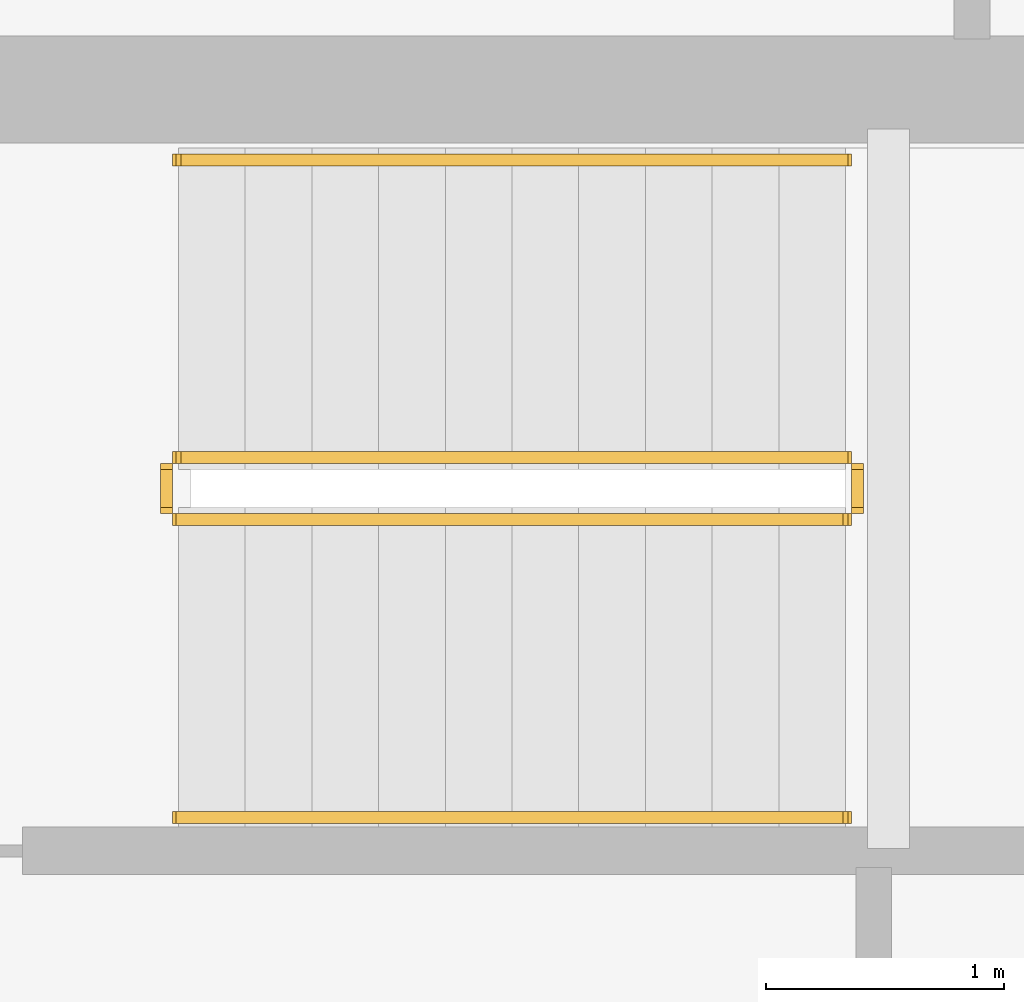
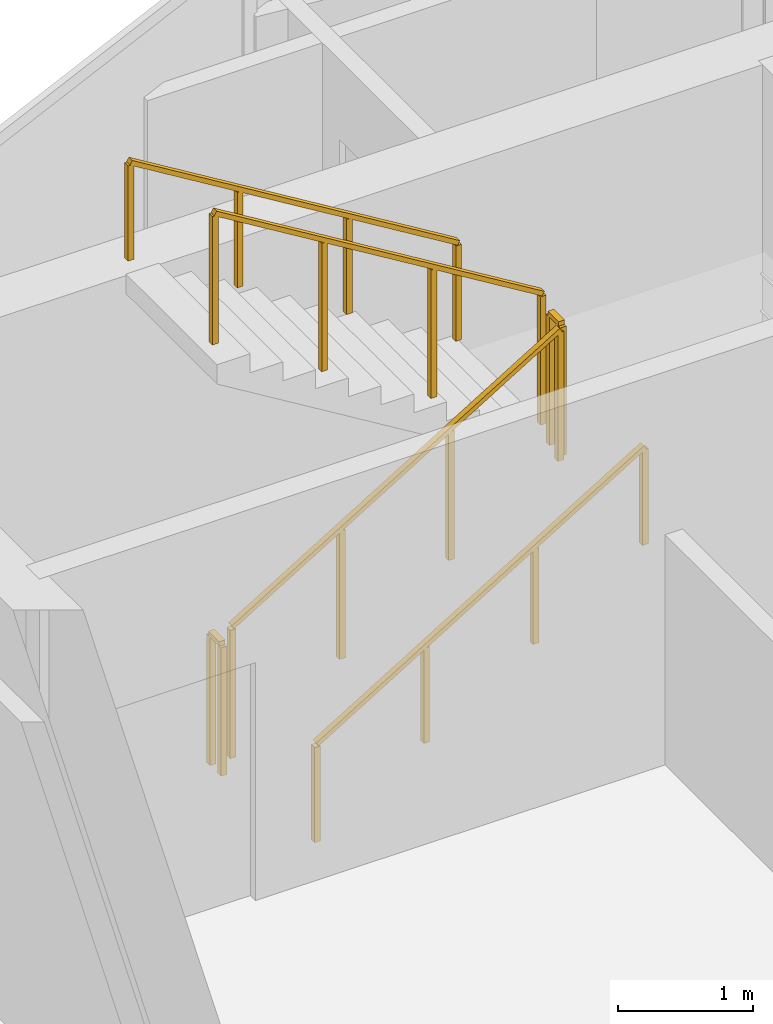
# One storey, part 15 of 15: 6 railings.
"""IFC4 building model written with IfcOpenShell, lengths in metres."""

import ifcopenshell
import ifcopenshell.guid

model = None  # the IFC model being written
_history = None  # IfcOwnerHistory: only IFC2X3 demands one
_inside = {}  # id of a spatial element -> (the spatial element, [elements in it])
_under = {}  # id of a project, library or spatial element -> (it, [spatial elements below it])
_declared = {}  # id of a project -> (the project, [libraries it declares])
_typed = {}  # id of a type object -> (the type object, [elements of that type])
_made_of = {}  # id of a material, layer set ... -> (it, [elements and type objects made of it])


def new_model(schema):
    """Start an empty IFC model of exactly this schema.

    Asked for "IFC4X3", IfcOpenShell would pick the latest addendum, in which some entities
    have other attributes; the version numbers below select the first issue.
    IFC2X3 requires an IfcOwnerHistory on every rooted entity: one is made here for all.
    """
    global model, _history
    if schema == "IFC4X3":
        model = ifcopenshell.file(schema_version=(4, 3, 0, 0))
    else:
        model = ifcopenshell.file(schema=schema)
    _inside.clear()
    _under.clear()
    _declared.clear()
    _typed.clear()
    _made_of.clear()
    _history = None
    if model.schema == "IFC2X3":
        org = make("IfcOrganization", Name="unknown")
        user = make(
            "IfcPersonAndOrganization",
            ThePerson=make("IfcPerson", FamilyName="unknown"),
            TheOrganization=org,
        )
        app = make(
            "IfcApplication",
            ApplicationDeveloper=org,
            Version="unknown",
            ApplicationFullName="unknown",
            ApplicationIdentifier="unknown",
        )
        _history = make(
            "IfcOwnerHistory",
            OwningUser=user,
            OwningApplication=app,
            ChangeAction="ADDED",
            CreationDate=0,
        )
    return model


def make(cls, **values):
    """One entity of the class cls with the attributes given. An attribute that is None is left unset."""
    return model.create_entity(
        cls, **{name: value for name, value in values.items() if value is not None}
    )


def rooted(cls, **values):
    """An entity with a GlobalId (a new one), such as an element, a storey or a relation."""
    return make(cls, GlobalId=ifcopenshell.guid.new(), OwnerHistory=_history, **values)


def si_unit(unit_type, name, prefix=None):
    """IfcSIUnit, for example si_unit("LENGTHUNIT", "METRE", prefix="MILLI")."""
    return make("IfcSIUnit", UnitType=unit_type, Prefix=prefix, Name=name)


def assignment(units):
    """IfcUnitAssignment: the units of a project."""
    return None if units is None else make("IfcUnitAssignment", Units=units)


def point(xyz):
    """IfcCartesianPoint."""
    return None if xyz is None else make("IfcCartesianPoint", Coordinates=xyz)


def direction(xyz):
    """IfcDirection."""
    return None if xyz is None else make("IfcDirection", DirectionRatios=xyz)


def frame(location, z_axis=None, x_axis=None):
    """IfcAxis2Placement3D, a coordinate frame: its origin and axes. An axis left out is left unset."""
    return make(
        "IfcAxis2Placement3D",
        Location=point(location),
        Axis=direction(z_axis),
        RefDirection=direction(x_axis),
    )


def frame_2d(location, x_axis=None):
    """IfcAxis2Placement2D, a coordinate frame in the plane: its origin and x axis."""
    return make(
        "IfcAxis2Placement2D", Location=point(location), RefDirection=direction(x_axis)
    )


def origin():
    """The frame at (0, 0, 0) with its axes left unset."""
    return frame((0.0, 0.0, 0.0))


def origin_2d():
    """The frame at (0, 0) in the plane with its x axis left unset."""
    return frame_2d((0.0, 0.0))


def place(relative_to, where):
    """IfcLocalPlacement: puts the frame where relative to a parent placement (None: the world)."""
    return make(
        "IfcLocalPlacement", PlacementRelTo=relative_to, RelativePlacement=where
    )


def context(
    kind, dimensions, precision=None, world=None, true_north=None, identifier=None
):
    """IfcGeometricRepresentationContext, for example the 3D "Model" context."""
    return make(
        "IfcGeometricRepresentationContext",
        ContextIdentifier=identifier,
        ContextType=kind,
        CoordinateSpaceDimension=dimensions,
        Precision=precision,
        WorldCoordinateSystem=world,
        TrueNorth=true_north,
    )


def subcontext(parent, identifier, kind, view, scale=None):
    """IfcGeometricRepresentationSubContext, for example "Body" below "Model"."""
    return make(
        "IfcGeometricRepresentationSubContext",
        ContextIdentifier=identifier,
        ContextType=kind,
        ParentContext=parent,
        TargetScale=scale,
        TargetView=view,
    )


def project(units=None, contexts=None):
    """IfcProject with its units and contexts."""
    return rooted(
        "IfcProject",
        Name="project",
        RepresentationContexts=contexts,
        UnitsInContext=assignment(units),
    )


def spatial(cls, under=None, at=None, **own):
    """A site, building, storey or space (cls), placed at a placement, below another one or the project."""
    s = rooted(cls, ObjectPlacement=at, **own)
    if under is not None:
        _under.setdefault(under.id(), (under, []))[1].append(s)
    return s


def profile(cls, at=None, kind="AREA", **sizes):
    """A parametric profile (cls). Its sizes go by their IFC names, for example OverallWidth=200.0."""
    return make(cls, ProfileType=kind, Position=at, **sizes)


def rectangle(**sizes):
    """IfcRectangleProfileDef."""
    return profile("IfcRectangleProfileDef", **sizes)


def extrude(swept, where, along, depth):
    """IfcExtrudedAreaSolid: the profile swept, set in the frame where, extruded along a direction by depth."""
    return make(
        "IfcExtrudedAreaSolid",
        SweptArea=swept,
        Position=where,
        ExtrudedDirection=direction(along),
        Depth=depth,
    )


def shape(context_of_items, identifier, shape_type, items):
    """IfcShapeRepresentation: the items that make up one representation, for example the "Body"."""
    return make(
        "IfcShapeRepresentation",
        ContextOfItems=context_of_items,
        RepresentationIdentifier=identifier,
        RepresentationType=shape_type,
        Items=items,
    )


def material(Name=None, Category=None):
    """IfcMaterial."""
    return make("IfcMaterial", Name=Name, Category=Category)


def made_of(thing, what):
    """Note that an element or type object is made of a material, layer set ...; save() writes the relation."""
    if what is not None:
        _made_of.setdefault(what.id(), (what, []))[1].append(thing)
    return thing


def type_object(cls, material=None, **own):
    """A type object (cls), such as IfcWallType, which elements share."""
    return made_of(rooted(cls, **own), material)


def element(
    cls,
    number,
    at=None,
    inside=None,
    cuts=None,
    type_object=None,
    material=None,
    context=None,
    identifier="Body",
    shape_type=None,
    held_by="IfcProductDefinitionShape",
    body=None,
    shapes=None,
    **own,
):
    """One element of the class cls, such as IfcWall. Its Tag is "e" and its number.

    at: its placement. inside: the storey or other place that contains it. cuts: it is an
    opening in that element (IfcRelVoidsElement). A single representation is given by context,
    identifier, shape_type and body (its items); several are given by shapes. held_by: the class
    of the entity that holds the representations. save() writes the other relations.
    """
    e = rooted(cls, Tag="e%d" % number, ObjectPlacement=at, **own)
    if body is not None:
        shapes = [shape(context, identifier, shape_type, body)]
    if shapes is not None:
        e.Representation = make(held_by, Representations=shapes)
    if inside is not None:
        _inside.setdefault(inside.id(), (inside, []))[1].append(e)
    if cuts is not None:
        rooted(
            "IfcRelVoidsElement", RelatingBuildingElement=cuts, RelatedOpeningElement=e
        )
    if type_object is not None:
        _typed.setdefault(type_object.id(), (type_object, []))[1].append(e)
    return made_of(e, material)


def aggregate(whole, parts):
    """IfcRelAggregates: a whole, such as a stair, and the parts it consists of."""
    return rooted("IfcRelAggregates", RelatingObject=whole, RelatedObjects=parts)


def save(model, path):
    """Write the relations noted so far, then the file.

    IfcRelAggregates (storeys below a building ...), IfcRelContainedInSpatialStructure (elements
    in a storey), IfcRelDefinesByType, IfcRelAssociatesMaterial and IfcRelDeclares: one each for
    every whole, place, type object, material and project.
    """
    for whole, parts in _under.values():
        aggregate(whole, parts)
    for where, things in _inside.values():
        rooted(
            "IfcRelContainedInSpatialStructure",
            RelatedElements=things,
            RelatingStructure=where,
        )
    for kind, things in _typed.values():
        rooted("IfcRelDefinesByType", RelatedObjects=things, RelatingType=kind)
    for what, things in _made_of.values():
        rooted("IfcRelAssociatesMaterial", RelatedObjects=things, RelatingMaterial=what)
    for by, libraries in _declared.values():
        rooted("IfcRelDeclares", RelatingContext=by, RelatedDefinitions=libraries)
    model.write(path)


model = new_model("IFC4")

# Units and contexts
model_context = context("Model", 3, precision=1e-05, world=origin(), true_north=direction((0.0, 1.0)))
body_context = subcontext(model_context, "Body", "Model", "MODEL_VIEW")
ifc_project = project(units=[si_unit("LENGTHUNIT", "METRE"), si_unit("AREAUNIT", "SQUARE_METRE"), si_unit("VOLUMEUNIT", "CUBIC_METRE"), si_unit("PLANEANGLEUNIT", "RADIAN"), si_unit("MASSUNIT", "GRAM", prefix="KILO")], contexts=[model_context])

# Site, building, storey
site_placement = place(None, origin())
site = spatial("IfcSite", under=ifc_project, at=site_placement, CompositionType="ELEMENT")
building_placement = place(site_placement, origin())
building = spatial("IfcBuilding", under=site, at=building_placement, Name="Qianvela Tower", CompositionType="ELEMENT")
storey_placement = place(building_placement, frame((0.0, 0.0, 360.050048828125)))
storey = spatial("IfcBuildingStorey", under=building, at=storey_placement, Name="L93", CompositionType="ELEMENT", Elevation=360.050048828125)

# Railings
ifc_material_1 = material(Name="Painted Tubular Steel Q355B", Category="steel")
railing_type_1 = type_object("IfcRailingType", Name="RL-STAIR-GUARD-1200", PredefinedType="GUARDRAIL", material=ifc_material_1)
railing_1_placement = place(storey_placement, frame((32.199951171875, 30.840087890625, 0.17041015625)))
element("IfcRailing", 1, at=railing_1_placement, inside=storey, type_object=railing_type_1, Name="L93 ST-1 stair guard 1", PredefinedType="GUARDRAIL", context=body_context, shape_type="SweptSolid", body=[
    extrude(rectangle(XDim=0.050048828125, YDim=0.0400390625, at=origin_2d()), frame((0.0, 0.0, 1.179931640625), z_axis=(0.854169791009, 0.0, 0.51999420009), x_axis=(0.0, 1.0, 0.0)), (0.0, 0.0, 1.0), 3.278076171875),
    extrude(rectangle(XDim=0.050048828125, YDim=0.050048828125, at=origin_2d()), origin(), (0.0, 0.0, 1.0), 1.159912109375),
    extrude(rectangle(XDim=0.050048828125, YDim=0.050048828125, at=origin_2d()), frame((0.933349609375, 0.0, 0.568115234375)), (0.0, 0.0, 1.0), 1.159912109375),
    extrude(rectangle(XDim=0.050048828125, YDim=0.050048828125, at=origin_2d()), frame((1.86669921875, 0.0, 1.136474609375)), (0.0, 0.0, 1.0), 1.159912109375),
    extrude(rectangle(XDim=0.050048828125, YDim=0.050048828125, at=origin_2d()), frame((2.800048828125, 0.0, 1.70458984375)), (0.0, 0.0, 1.0), 1.159912109375),
])
railing_2_placement = place(storey_placement, frame((35.050048828125, 30.889892578125, 1.875)))
element("IfcRailing", 2, at=railing_2_placement, inside=storey, type_object=railing_type_1, Name="L93 ST-1 stair guard 2", PredefinedType="GUARDRAIL", context=body_context, shape_type="SweptSolid", body=[
    extrude(rectangle(XDim=0.050048828125, YDim=0.0400390625, at=origin_2d()), frame((0.0, 0.0, 1.179931640625), z_axis=(0.0, 1.0, 0.0), x_axis=(-1.0, 0.0, 0.0)), (0.0, 0.0, 1.0), 0.16015625),
    extrude(rectangle(XDim=0.050048828125, YDim=0.050048828125, at=origin_2d()), origin(), (0.0, 0.0, 1.0), 1.159912109375),
    extrude(rectangle(XDim=0.050048828125, YDim=0.050048828125, at=origin_2d()), frame((0.0, 0.16015625, 0.0)), (0.0, 0.0, 1.0), 1.159912109375),
])
railing_3_placement = place(storey_placement, frame((35.0, 31.10009765625, 2.04541015625)))
element("IfcRailing", 3, at=railing_3_placement, inside=storey, type_object=railing_type_1, Name="L93 ST-1 stair guard 3", PredefinedType="GUARDRAIL", context=body_context, shape_type="SweptSolid", body=[
    extrude(rectangle(XDim=0.050048828125, YDim=0.0400390625, at=origin_2d()), frame((0.0, 0.0, 1.179931640625), z_axis=(-0.854169791009, 0.0, 0.51999420009), x_axis=(0.0, -1.0, 0.0)), (0.0, 0.0, 1.0), 3.278076171875),
    extrude(rectangle(XDim=0.050048828125, YDim=0.050048828125, at=origin_2d()), origin(), (0.0, 0.0, 1.0), 1.159912109375),
    extrude(rectangle(XDim=0.050048828125, YDim=0.050048828125, at=origin_2d()), frame((-0.933349609375, 0.0, 0.568115234375)), (0.0, 0.0, 1.0), 1.159912109375),
    extrude(rectangle(XDim=0.050048828125, YDim=0.050048828125, at=origin_2d()), frame((-1.86669921875, 0.0, 1.136474609375)), (0.0, 0.0, 1.0), 1.159912109375),
    extrude(rectangle(XDim=0.050048828125, YDim=0.050048828125, at=origin_2d()), frame((-2.800048828125, 0.0, 1.70458984375)), (0.0, 0.0, 1.0), 1.159912109375),
])
railing_4_placement = place(storey_placement, frame((32.14990234375, 30.889892578125, 0.0)))
element("IfcRailing", 4, at=railing_4_placement, inside=storey, type_object=railing_type_1, Name="L93 ST-1 stair guard 4", PredefinedType="GUARDRAIL", context=body_context, shape_type="SweptSolid", body=[
    extrude(rectangle(XDim=0.050048828125, YDim=0.0400390625, at=origin_2d()), frame((0.0, 0.0, 1.179931640625), z_axis=(0.0, 1.0, 0.0), x_axis=(-1.0, 0.0, 0.0)), (0.0, 0.0, 1.0), 0.16015625),
    extrude(rectangle(XDim=0.050048828125, YDim=0.050048828125, at=origin_2d()), origin(), (0.0, 0.0, 1.0), 1.159912109375),
    extrude(rectangle(XDim=0.050048828125, YDim=0.050048828125, at=origin_2d()), frame((0.0, 0.16015625, 0.0)), (0.0, 0.0, 1.0), 1.159912109375),
])
ifc_material_2 = material(Name="Brushed Stainless Steel 304", Category="steel")
railing_type_2 = type_object("IfcRailingType", Name="RL-STAIR-HANDRAIL-900", PredefinedType="HANDRAIL", material=ifc_material_2)
railing_5_placement = place(storey_placement, frame((32.199951171875, 29.590087890625, 0.17041015625)))
element("IfcRailing", 5, at=railing_5_placement, inside=storey, type_object=railing_type_2, Name="L93 ST-1 stair handrail 1", PredefinedType="HANDRAIL", context=body_context, shape_type="SweptSolid", body=[
    extrude(rectangle(XDim=0.050048828125, YDim=0.0400390625, at=origin_2d()), frame((0.0, 0.0, 0.8798828125), z_axis=(0.854169791009, 0.0, 0.51999420009), x_axis=(0.0, 1.0, 0.0)), (0.0, 0.0, 1.0), 3.278076171875),
    extrude(rectangle(XDim=0.050048828125, YDim=0.050048828125, at=origin_2d()), origin(), (0.0, 0.0, 1.0), 0.85986328125),
    extrude(rectangle(XDim=0.050048828125, YDim=0.050048828125, at=origin_2d()), frame((0.933349609375, 0.0, 0.568115234375)), (0.0, 0.0, 1.0), 0.85986328125),
    extrude(rectangle(XDim=0.050048828125, YDim=0.050048828125, at=origin_2d()), frame((1.86669921875, 0.0, 1.136474609375)), (0.0, 0.0, 1.0), 0.85986328125),
    extrude(rectangle(XDim=0.050048828125, YDim=0.050048828125, at=origin_2d()), frame((2.800048828125, 0.0, 1.70458984375)), (0.0, 0.0, 1.0), 0.85986328125),
])
railing_6_placement = place(storey_placement, frame((35.0, 32.35009765625, 2.04541015625)))
element("IfcRailing", 6, at=railing_6_placement, inside=storey, type_object=railing_type_2, Name="L93 ST-1 stair handrail 2", PredefinedType="HANDRAIL", context=body_context, shape_type="SweptSolid", body=[
    extrude(rectangle(XDim=0.050048828125, YDim=0.0400390625, at=origin_2d()), frame((0.0, 0.0, 0.8798828125), z_axis=(-0.854169791009, 0.0, 0.51999420009), x_axis=(0.0, -1.0, 0.0)), (0.0, 0.0, 1.0), 3.278076171875),
    extrude(rectangle(XDim=0.050048828125, YDim=0.050048828125, at=origin_2d()), origin(), (0.0, 0.0, 1.0), 0.85986328125),
    extrude(rectangle(XDim=0.050048828125, YDim=0.050048828125, at=origin_2d()), frame((-0.933349609375, 0.0, 0.568115234375)), (0.0, 0.0, 1.0), 0.85986328125),
    extrude(rectangle(XDim=0.050048828125, YDim=0.050048828125, at=origin_2d()), frame((-1.86669921875, 0.0, 1.136474609375)), (0.0, 0.0, 1.0), 0.85986328125),
    extrude(rectangle(XDim=0.050048828125, YDim=0.050048828125, at=origin_2d()), frame((-2.800048828125, 0.0, 1.70458984375)), (0.0, 0.0, 1.0), 0.85986328125),
])

save(model, "model.ifc")
